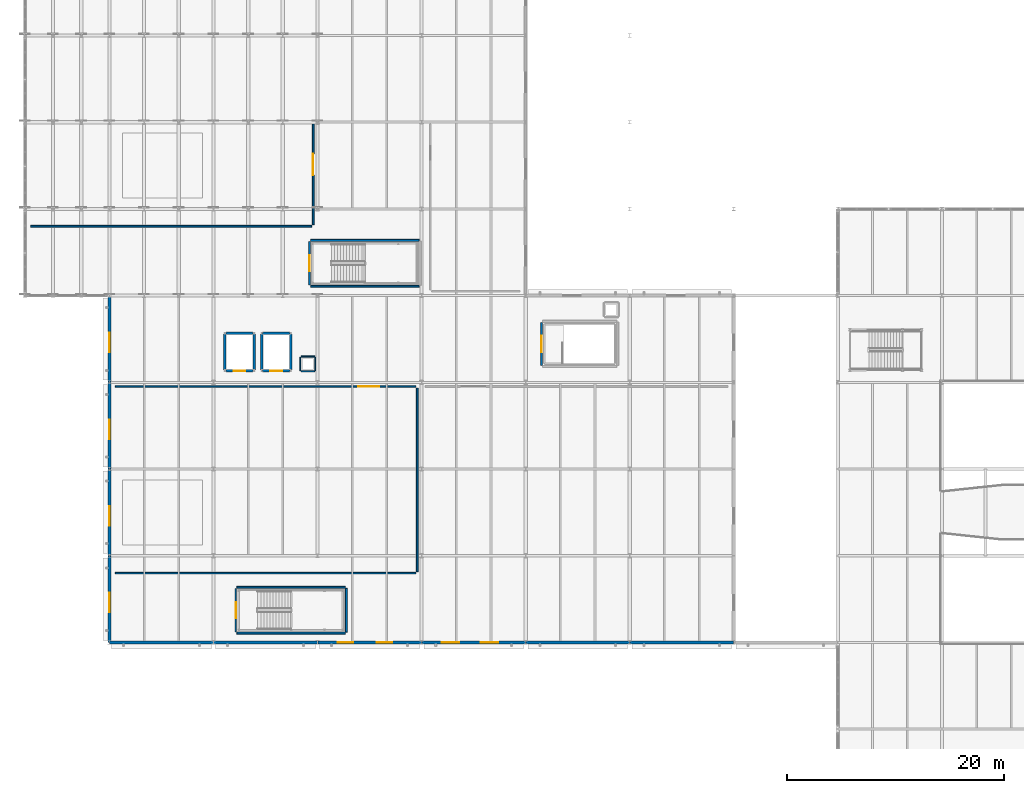
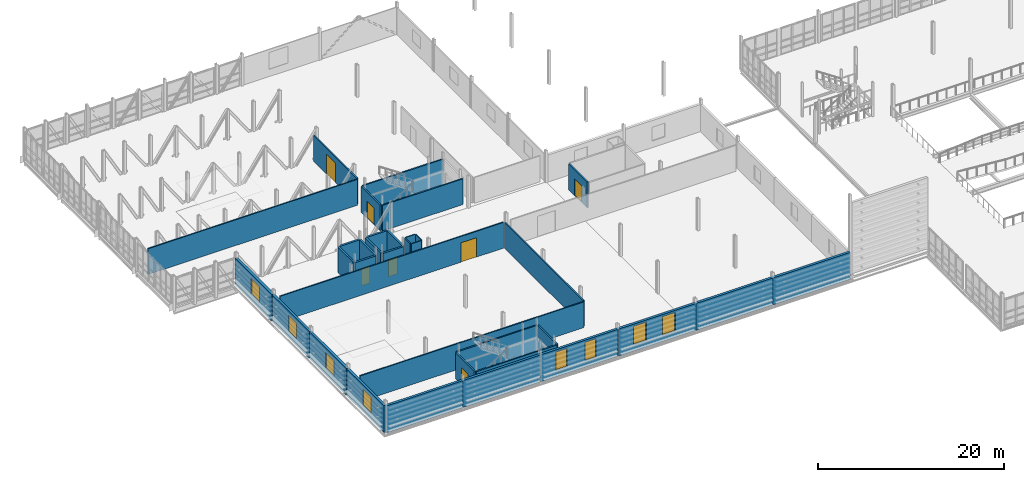
# One storey, part 60 of 73: 35 walls, 8 windows, 7 doors, 15 openings.
"""IFC4 building model written with IfcOpenShell, lengths in metres."""

from ifc_helpers import new_model, si_unit, direction, frame, frame_2d, origin, place, context, subcontext, project, spatial, rectangle, extrude, material, layer, layer_set, type_object, element, fill, save


model = new_model("IFC4")

# Units and contexts
model_context = context("Model", 3, precision=1e-05, world=origin(), true_north=direction((0.0, 1.0)))
body_context = subcontext(model_context, "Body", "Model", "MODEL_VIEW")
ifc_project = project(units=[si_unit("LENGTHUNIT", "METRE"), si_unit("AREAUNIT", "SQUARE_METRE"), si_unit("VOLUMEUNIT", "CUBIC_METRE"), si_unit("PLANEANGLEUNIT", "RADIAN"), si_unit("MASSUNIT", "GRAM", prefix="KILO")], contexts=[model_context])

# Site, building, storey
site_placement = place(None, origin())
site = spatial("IfcSite", under=ifc_project, at=site_placement, CompositionType="ELEMENT")
building_placement = place(site_placement, origin())
building = spatial("IfcBuilding", under=site, at=building_placement, Name="Alderhovde Museum", CompositionType="ELEMENT")
storey_placement = place(building_placement, frame((0.0, 0.0, 12.89990234375)))
storey = spatial("IfcBuildingStorey", under=building, at=storey_placement, Name="L03", CompositionType="ELEMENT", Elevation=12.89990234375)

# Walls
ifc_material_1 = material(Name="Insulated Zinc-Clad Backing Wall")
ifc_layer_1 = layer(ifc_material_1, 0.300048828125)
ifc_layer_set_1 = layer_set([ifc_layer_1], Name="Insulated Zinc-Clad Backing Wall")
wall_type_1 = type_object("IfcWallType", Name="EW-ZINC-300", PredefinedType="SOLIDWALL", material=ifc_layer_set_1)
wall_1_placement = place(storey_placement, frame((9.6201171875, 48.0, 0.0), z_axis=(0.0, 0.0, 1.0), x_axis=(1.0, 0.0, 0.0)))
element("IfcWall", 1, at=wall_1_placement, inside=storey, type_object=wall_type_1, Name="L03 Folded Wing South Wall 35", PredefinedType="SOLIDWALL", context=body_context, shape_type="SweptSolid", body=[
    extrude(rectangle(XDim=9.559814453125, YDim=0.300048828125, at=frame_2d((4.77978515625, 0.0))), origin(), (0.0, 0.0, 1.0), 3.5400390625),
])
wall_2_placement = place(storey_placement, frame((19.219970703125, 48.0, 0.0), z_axis=(0.0, 0.0, 1.0), x_axis=(1.0, 0.0, 0.0)))
element("IfcWall", 2, at=wall_2_placement, inside=storey, type_object=wall_type_1, Name="L03 Folded Wing South Wall 36", PredefinedType="SOLIDWALL", context=body_context, shape_type="SweptSolid", body=[
    extrude(rectangle(XDim=9.56005859375, YDim=0.300048828125, at=frame_2d((4.780029296875, 0.0))), origin(), (0.0, 0.0, 1.0), 3.5400390625),
])

# Wall, openings, windows
wall_3_placement = place(storey_placement, frame((28.820068359375, 48.0, 0.0), z_axis=(0.0, 0.0, 1.0), x_axis=(1.0, 0.0, 0.0)))
wall_3 = element("IfcWall", 3, at=wall_3_placement, inside=storey, type_object=wall_type_1, Name="L03 Folded Wing South Wall 37", PredefinedType="SOLIDWALL", context=body_context, shape_type="SweptSolid", body=[
    extrude(rectangle(XDim=9.559814453125, YDim=0.300048828125, at=frame_2d((4.77978515625, 0.0))), origin(), (0.0, 0.0, 1.0), 3.5400390625),
])
opening_1_placement = place(wall_3_placement, frame((1.85009765625, 0.0, 0.85009765625)))
opening_1 = element("IfcOpeningElement", 4, at=opening_1_placement, cuts=wall_3, Name="Opening W07", PredefinedType="OPENING", context=body_context, shape_type="SweptSolid", body=[
    extrude(rectangle(XDim=1.39990234375, YDim=2.39990234375, at=frame_2d((0.699951171875, 1.199951171875))), frame((0.0, 0.159912109375, 0.0), z_axis=(0.0, -1.0, 0.0), x_axis=(1.0, 0.0, 0.0)), (0.0, 0.0, 1.0), 0.320068359375),
])
opening_2_placement = place(wall_3_placement, frame((5.449951171875, 0.0, 0.85009765625)))
opening_2 = element("IfcOpeningElement", 5, at=opening_2_placement, cuts=wall_3, Name="Opening W07", PredefinedType="OPENING", context=body_context, shape_type="SweptSolid", body=[
    extrude(rectangle(XDim=1.39990234375, YDim=2.39990234375, at=frame_2d((0.699951171875, 1.199951171875))), frame((0.0, 0.159912109375, 0.0), z_axis=(0.0, -1.0, 0.0), x_axis=(1.0, 0.0, 0.0)), (0.0, 0.0, 1.0), 0.320068359375),
])
ifc_material_2 = material(Name="Triple-Glazed Low-E Bronze-Anodised Aluminium", Category="aluminium")
window_type_1 = type_object("IfcWindowType", Name="WIN-BA-1400x2400", PartitioningType="SINGLE_PANEL", PredefinedType="WINDOW", material=ifc_material_2)
window_1_placement = place(opening_1_placement, origin())
window_1 = element("IfcWindow", 6, at=window_1_placement, inside=storey, type_object=window_type_1, Name="L03 Facade Window 23", OverallHeight=2.39990234375, OverallWidth=1.39990234375, PartitioningType="SINGLE_PANEL", PredefinedType="WINDOW", context=body_context, shape_type="SweptSolid", body=[
    extrude(rectangle(XDim=1.39990234375, YDim=2.39990234375, at=frame_2d((0.699951171875, 1.199951171875))), frame((0.0, 0.030029296875, 0.0), z_axis=(0.0, -1.0, 0.0), x_axis=(1.0, 0.0, 0.0)), (0.0, 0.0, 1.0), 0.06005859375),
])
fill(opening_1, window_1)
window_2_placement = place(opening_2_placement, origin())
window_2 = element("IfcWindow", 7, at=window_2_placement, inside=storey, type_object=window_type_1, Name="L03 Facade Window 24", OverallHeight=2.39990234375, OverallWidth=1.39990234375, PartitioningType="SINGLE_PANEL", PredefinedType="WINDOW", context=body_context, shape_type="SweptSolid", body=[
    extrude(rectangle(XDim=1.39990234375, YDim=2.39990234375, at=frame_2d((0.699951171875, 1.199951171875))), frame((0.0, 0.030029296875, 0.0), z_axis=(0.0, -1.0, 0.0), x_axis=(1.0, 0.0, 0.0)), (0.0, 0.0, 1.0), 0.06005859375),
])
fill(opening_2, window_2)

wall_4_placement = place(storey_placement, frame((38.419921875, 48.0, 0.0), z_axis=(0.0, 0.0, 1.0), x_axis=(1.0, 0.0, 0.0)))
wall_4 = element("IfcWall", 8, at=wall_4_placement, inside=storey, type_object=wall_type_1, Name="L03 Folded Wing South Wall 38", PredefinedType="SOLIDWALL", context=body_context, shape_type="SweptSolid", body=[
    extrude(rectangle(XDim=9.56005859375, YDim=0.300048828125, at=frame_2d((4.780029296875, 0.0))), origin(), (0.0, 0.0, 1.0), 3.5400390625),
])
opening_3_placement = place(wall_4_placement, frame((1.85009765625, 0.0, 0.85009765625)))
opening_3 = element("IfcOpeningElement", 9, at=opening_3_placement, cuts=wall_4, Name="Opening W06", PredefinedType="OPENING", context=body_context, shape_type="SweptSolid", body=[
    extrude(rectangle(XDim=1.60009765625, YDim=2.39990234375, at=frame_2d((0.800048828125, 1.199951171875))), frame((0.0, 0.159912109375, 0.0), z_axis=(0.0, -1.0, 0.0), x_axis=(1.0, 0.0, 0.0)), (0.0, 0.0, 1.0), 0.320068359375),
])
opening_4_placement = place(wall_4_placement, frame((5.449951171875, 0.0, 0.85009765625)))
opening_4 = element("IfcOpeningElement", 10, at=opening_4_placement, cuts=wall_4, Name="Opening W06", PredefinedType="OPENING", context=body_context, shape_type="SweptSolid", body=[
    extrude(rectangle(XDim=1.60009765625, YDim=2.39990234375, at=frame_2d((0.800048828125, 1.199951171875))), frame((0.0, 0.159912109375, 0.0), z_axis=(0.0, -1.0, 0.0), x_axis=(1.0, 0.0, 0.0)), (0.0, 0.0, 1.0), 0.320068359375),
])
ifc_material_3 = material(Name="Triple-Glazed Low-E Bronze-Anodised Aluminium", Category="aluminium")
window_type_2 = type_object("IfcWindowType", Name="WIN-BA-1600x2400", PartitioningType="DOUBLE_PANEL_VERTICAL", PredefinedType="WINDOW", material=ifc_material_3)
window_3_placement = place(opening_3_placement, origin())
window_3 = element("IfcWindow", 11, at=window_3_placement, inside=storey, type_object=window_type_2, Name="L03 Facade Window 25", OverallHeight=2.39990234375, OverallWidth=1.60009765625, PartitioningType="SINGLE_PANEL", PredefinedType="WINDOW", context=body_context, shape_type="SweptSolid", body=[
    extrude(rectangle(XDim=1.60009765625, YDim=2.39990234375, at=frame_2d((0.800048828125, 1.199951171875))), frame((0.0, 0.030029296875, 0.0), z_axis=(0.0, -1.0, 0.0), x_axis=(1.0, 0.0, 0.0)), (0.0, 0.0, 1.0), 0.06005859375),
])
fill(opening_3, window_3)
window_4_placement = place(opening_4_placement, origin())
window_4 = element("IfcWindow", 12, at=window_4_placement, inside=storey, type_object=window_type_2, Name="L03 Facade Window 26", OverallHeight=2.39990234375, OverallWidth=1.60009765625, PartitioningType="SINGLE_PANEL", PredefinedType="WINDOW", context=body_context, shape_type="SweptSolid", body=[
    extrude(rectangle(XDim=1.60009765625, YDim=2.39990234375, at=frame_2d((0.800048828125, 1.199951171875))), frame((0.0, 0.030029296875, 0.0), z_axis=(0.0, -1.0, 0.0), x_axis=(1.0, 0.0, 0.0)), (0.0, 0.0, 1.0), 0.06005859375),
])
fill(opening_4, window_4)

# Walls
wall_5_placement = place(storey_placement, frame((48.02001953125, 48.0, 0.0), z_axis=(0.0, 0.0, 1.0), x_axis=(1.0, 0.0, 0.0)))
element("IfcWall", 13, at=wall_5_placement, inside=storey, type_object=wall_type_1, Name="L03 Folded Wing South Wall 39", PredefinedType="SOLIDWALL", context=body_context, shape_type="SweptSolid", body=[
    extrude(rectangle(XDim=9.56005859375, YDim=0.300048828125, at=frame_2d((4.780029296875, 0.0))), origin(), (0.0, 0.0, 1.0), 3.5400390625),
])
wall_6_placement = place(storey_placement, frame((57.6201171875, 48.0, 0.0), z_axis=(0.0, 0.0, 1.0), x_axis=(1.0, 0.0, 0.0)))
element("IfcWall", 14, at=wall_6_placement, inside=storey, type_object=wall_type_1, Name="L03 Folded Wing South Wall 40", PredefinedType="SOLIDWALL", context=body_context, shape_type="SweptSolid", body=[
    extrude(rectangle(XDim=9.559814453125, YDim=0.300048828125, at=frame_2d((4.77978515625, 0.0))), origin(), (0.0, 0.0, 1.0), 3.5400390625),
])

# Wall, opening, window
wall_7_placement = place(storey_placement, frame((9.60009765625, 48.02001953125, 0.0), z_axis=(0.0, 0.0, 1.0), x_axis=(0.0, 1.0, 0.0)))
wall_7 = element("IfcWall", 15, at=wall_7_placement, inside=storey, type_object=wall_type_1, Name="L03 Raised West Prow Wall 43", PredefinedType="SOLIDWALL", context=body_context, shape_type="SweptSolid", body=[
    extrude(rectangle(XDim=7.9599609375, YDim=0.300048828125, at=frame_2d((3.97998046875, 0.0))), origin(), (0.0, 0.0, 1.0), 3.5400390625),
])
opening_5_placement = place(wall_7_placement, frame((2.75, 0.0, 0.85009765625)))
opening_5 = element("IfcOpeningElement", 16, at=opening_5_placement, cuts=wall_7, Name="Opening W09", PredefinedType="OPENING", context=body_context, shape_type="SweptSolid", body=[
    extrude(rectangle(XDim=1.800048828125, YDim=2.10009765625, at=frame_2d((0.89990234375, 1.050048828125))), frame((0.0, 0.159912109375, 0.0), z_axis=(0.0, -1.0, 0.0), x_axis=(1.0, 0.0, 0.0)), (0.0, 0.0, 1.0), 0.320068359375),
])
ifc_material_4 = material(Name="Triple-Glazed Low-E Bronze-Anodised Aluminium", Category="aluminium")
window_type_3 = type_object("IfcWindowType", Name="WIN-BA-1800x2100", PartitioningType="DOUBLE_PANEL_VERTICAL", PredefinedType="WINDOW", material=ifc_material_4)
window_5_placement = place(opening_5_placement, origin())
window_5 = element("IfcWindow", 17, at=window_5_placement, inside=storey, type_object=window_type_3, Name="L03 Facade Window 29", OverallHeight=2.10009765625, OverallWidth=1.800048828125, PartitioningType="SINGLE_PANEL", PredefinedType="WINDOW", context=body_context, shape_type="SweptSolid", body=[
    extrude(rectangle(XDim=1.800048828125, YDim=2.10009765625, at=frame_2d((0.89990234375, 1.050048828125))), frame((0.0, 0.030029296875, 0.0), z_axis=(0.0, -1.0, 0.0), x_axis=(1.0, 0.0, 0.0)), (0.0, 0.0, 1.0), 0.06005859375),
])
fill(opening_5, window_5)

wall_8_placement = place(storey_placement, frame((9.60009765625, 56.02001953125, 0.0), z_axis=(0.0, 0.0, 1.0), x_axis=(0.0, 1.0, 0.0)))
wall_8 = element("IfcWall", 18, at=wall_8_placement, inside=storey, type_object=wall_type_1, Name="L03 Raised West Prow Wall 44", PredefinedType="SOLIDWALL", context=body_context, shape_type="SweptSolid", body=[
    extrude(rectangle(XDim=7.9599609375, YDim=0.300048828125, at=frame_2d((3.97998046875, 0.0))), origin(), (0.0, 0.0, 1.0), 3.5400390625),
])
opening_6_placement = place(wall_8_placement, frame((2.75, 0.0, 0.85009765625)))
opening_6 = element("IfcOpeningElement", 19, at=opening_6_placement, cuts=wall_8, Name="Opening W09", PredefinedType="OPENING", context=body_context, shape_type="SweptSolid", body=[
    extrude(rectangle(XDim=1.800048828125, YDim=2.10009765625, at=frame_2d((0.89990234375, 1.050048828125))), frame((0.0, 0.159912109375, 0.0), z_axis=(0.0, -1.0, 0.0), x_axis=(1.0, 0.0, 0.0)), (0.0, 0.0, 1.0), 0.320068359375),
])
window_6_placement = place(opening_6_placement, origin())
window_6 = element("IfcWindow", 20, at=window_6_placement, inside=storey, type_object=window_type_3, Name="L03 Facade Window 30", OverallHeight=2.10009765625, OverallWidth=1.800048828125, PartitioningType="SINGLE_PANEL", PredefinedType="WINDOW", context=body_context, shape_type="SweptSolid", body=[
    extrude(rectangle(XDim=1.800048828125, YDim=2.10009765625, at=frame_2d((0.89990234375, 1.050048828125))), frame((0.0, 0.030029296875, 0.0), z_axis=(0.0, -1.0, 0.0), x_axis=(1.0, 0.0, 0.0)), (0.0, 0.0, 1.0), 0.06005859375),
])
fill(opening_6, window_6)

wall_9_placement = place(storey_placement, frame((9.60009765625, 64.02001953125, 0.0), z_axis=(0.0, 0.0, 1.0), x_axis=(0.0, 1.0, 0.0)))
wall_9 = element("IfcWall", 21, at=wall_9_placement, inside=storey, type_object=wall_type_1, Name="L03 Raised West Prow Wall 45", PredefinedType="SOLIDWALL", context=body_context, shape_type="SweptSolid", body=[
    extrude(rectangle(XDim=7.9599609375, YDim=0.300048828125, at=frame_2d((3.97998046875, 0.0))), origin(), (0.0, 0.0, 1.0), 3.5400390625),
])
opening_7_placement = place(wall_9_placement, frame((2.75, 0.0, 0.85009765625)))
opening_7 = element("IfcOpeningElement", 22, at=opening_7_placement, cuts=wall_9, Name="Opening W09", PredefinedType="OPENING", context=body_context, shape_type="SweptSolid", body=[
    extrude(rectangle(XDim=1.800048828125, YDim=2.10009765625, at=frame_2d((0.89990234375, 1.050048828125))), frame((0.0, 0.159912109375, 0.0), z_axis=(0.0, -1.0, 0.0), x_axis=(1.0, 0.0, 0.0)), (0.0, 0.0, 1.0), 0.320068359375),
])
window_7_placement = place(opening_7_placement, origin())
window_7 = element("IfcWindow", 23, at=window_7_placement, inside=storey, type_object=window_type_3, Name="L03 Facade Window 31", OverallHeight=2.10009765625, OverallWidth=1.800048828125, PartitioningType="SINGLE_PANEL", PredefinedType="WINDOW", context=body_context, shape_type="SweptSolid", body=[
    extrude(rectangle(XDim=1.800048828125, YDim=2.10009765625, at=frame_2d((0.89990234375, 1.050048828125))), frame((0.0, 0.030029296875, 0.0), z_axis=(0.0, -1.0, 0.0), x_axis=(1.0, 0.0, 0.0)), (0.0, 0.0, 1.0), 0.06005859375),
])
fill(opening_7, window_7)

wall_10_placement = place(storey_placement, frame((9.60009765625, 72.02001953125, 0.0), z_axis=(0.0, 0.0, 1.0), x_axis=(0.0, 1.0, 0.0)))
wall_10 = element("IfcWall", 24, at=wall_10_placement, inside=storey, type_object=wall_type_1, Name="L03 Raised West Prow Wall 46", PredefinedType="SOLIDWALL", context=body_context, shape_type="SweptSolid", body=[
    extrude(rectangle(XDim=7.9599609375, YDim=0.300048828125, at=frame_2d((3.97998046875, 0.0))), origin(), (0.0, 0.0, 1.0), 3.5400390625),
])
opening_8_placement = place(wall_10_placement, frame((2.75, 0.0, 0.85009765625)))
opening_8 = element("IfcOpeningElement", 25, at=opening_8_placement, cuts=wall_10, Name="Opening W09", PredefinedType="OPENING", context=body_context, shape_type="SweptSolid", body=[
    extrude(rectangle(XDim=1.800048828125, YDim=2.10009765625, at=frame_2d((0.89990234375, 1.050048828125))), frame((0.0, 0.159912109375, 0.0), z_axis=(0.0, -1.0, 0.0), x_axis=(1.0, 0.0, 0.0)), (0.0, 0.0, 1.0), 0.320068359375),
])
window_8_placement = place(opening_8_placement, origin())
window_8 = element("IfcWindow", 26, at=window_8_placement, inside=storey, type_object=window_type_3, Name="L03 Facade Window 32", OverallHeight=2.10009765625, OverallWidth=1.800048828125, PartitioningType="SINGLE_PANEL", PredefinedType="WINDOW", context=body_context, shape_type="SweptSolid", body=[
    extrude(rectangle(XDim=1.800048828125, YDim=2.10009765625, at=frame_2d((0.89990234375, 1.050048828125))), frame((0.0, 0.030029296875, 0.0), z_axis=(0.0, -1.0, 0.0), x_axis=(1.0, 0.0, 0.0)), (0.0, 0.0, 1.0), 0.06005859375),
])
fill(opening_8, window_8)

# Wall, opening, door
ifc_material_5 = material(Name="Plywood-Backed Gallery Display Partition", Category="wood")
ifc_layer_2 = layer(ifc_material_5, 0.14990234375)
ifc_layer_set_2 = layer_set([ifc_layer_2], Name="Plywood-Backed Gallery Display Partition")
wall_type_2 = type_object("IfcWallType", Name="IW-GAL-150", PredefinedType="PARTITIONING", material=ifc_layer_set_2)
wall_11_placement = place(storey_placement, frame((10.139892578125, 71.60009765625, 0.0), z_axis=(0.0, 0.0, 1.0), x_axis=(1.0, 0.0, 0.0)))
wall_11 = element("IfcWall", 27, at=wall_11_placement, inside=storey, type_object=wall_type_2, Name="L03 Scandinavian Design Gallery Partition Wall N", PredefinedType="PARTITIONING", context=body_context, shape_type="SweptSolid", body=[
    extrude(rectangle(XDim=27.72021484375, YDim=0.14990234375, at=frame_2d((13.860107421875, 0.0))), origin(), (0.0, 0.0, 1.0), 3.380126953125),
])
opening_9_placement = place(wall_11_placement, frame((22.422119140625, 0.0, 0.0)))
opening_9 = element("IfcOpeningElement", 28, at=opening_9_placement, cuts=wall_11, Name="Opening D12", PredefinedType="OPENING", context=body_context, shape_type="SweptSolid", body=[
    extrude(rectangle(XDim=1.949951171875, YDim=2.550048828125, at=frame_2d((0.97509765625, 1.27490234375))), frame((0.0, 0.0849609375, 0.0), z_axis=(0.0, -1.0, 0.0), x_axis=(1.0, 0.0, 0.0)), (0.0, 0.0, 1.0), 0.169921875),
])
ifc_material_6 = material(Name="Natural History Double Door (Steel/Oak)", Category="steel")
door_type_1 = type_object("IfcDoorType", Name="ID-GAL-1950x2550", OperationType="NOTDEFINED", PredefinedType="DOOR", material=ifc_material_6)
door_1_placement = place(opening_9_placement, origin())
door_1 = element("IfcDoor", 29, at=door_1_placement, inside=storey, type_object=door_type_1, Name="L03 Scandinavian Design Gallery Door", OperationType="DOUBLE_DOOR_SINGLE_SWING", OverallHeight=2.550048828125, OverallWidth=1.949951171875, PredefinedType="DOOR", context=body_context, shape_type="SweptSolid", body=[
    extrude(rectangle(XDim=1.949951171875, YDim=2.550048828125, at=frame_2d((0.97509765625, 1.27490234375))), frame((0.0, 0.02490234375, 0.0), z_axis=(0.0, -1.0, 0.0), x_axis=(1.0, 0.0, 0.0)), (0.0, 0.0, 1.0), 0.050048828125),
])
fill(opening_9, door_1)

# Walls
wall_12_placement = place(storey_placement, frame((10.139892578125, 54.39990234375, 0.0), z_axis=(0.0, 0.0, 1.0), x_axis=(1.0, 0.0, 0.0)))
element("IfcWall", 30, at=wall_12_placement, inside=storey, type_object=wall_type_2, Name="L03 Scandinavian Design Gallery Partition Wall S", PredefinedType="PARTITIONING", context=body_context, shape_type="SweptSolid", body=[
    extrude(rectangle(XDim=27.72021484375, YDim=0.14990234375, at=frame_2d((13.860107421875, 0.0))), origin(), (0.0, 0.0, 1.0), 3.380126953125),
])
wall_13_placement = place(storey_placement, frame((38.0, 54.5400390625, 0.0), z_axis=(0.0, 0.0, 1.0), x_axis=(0.0, 1.0, 0.0)))
element("IfcWall", 31, at=wall_13_placement, inside=storey, type_object=wall_type_2, Name="L03 Scandinavian Design Gallery Partition Wall E", PredefinedType="PARTITIONING", context=body_context, shape_type="SweptSolid", body=[
    extrude(rectangle(XDim=16.919921875, YDim=0.14990234375, at=frame_2d((8.4599609375, 0.0))), origin(), (0.0, 0.0, 1.0), 3.380126953125),
])
wall_14_placement = place(storey_placement, frame((2.340087890625, 86.39990234375, 0.0), z_axis=(0.0, 0.0, 1.0), x_axis=(1.0, 0.0, 0.0)))
element("IfcWall", 32, at=wall_14_placement, inside=storey, type_object=wall_type_2, Name="L03 Cantilevered Marine Fossil Gallery Partition Wall S", PredefinedType="PARTITIONING", context=body_context, shape_type="SweptSolid", body=[
    extrude(rectangle(XDim=25.919921875, YDim=0.14990234375, at=frame_2d((12.9599609375, 0.0))), origin(), (0.0, 0.0, 1.0), 3.380126953125),
])

# Wall, opening, door
wall_15_placement = place(storey_placement, frame((28.39990234375, 86.5400390625, 0.0), z_axis=(0.0, 0.0, 1.0), x_axis=(0.0, 1.0, 0.0)))
wall_15 = element("IfcWall", 33, at=wall_15_placement, inside=storey, type_object=wall_type_2, Name="L03 Cantilevered Marine Fossil Gallery Partition Wall E", PredefinedType="PARTITIONING", context=body_context, shape_type="SweptSolid", body=[
    extrude(rectangle(XDim=9.2900390625, YDim=0.14990234375, at=frame_2d((4.64501953125, 0.0))), origin(), (0.0, 0.0, 1.0), 3.380126953125),
])
opening_10_placement = place(wall_15_placement, frame((4.552001953125, 0.0, 0.0)))
opening_10 = element("IfcOpeningElement", 34, at=opening_10_placement, cuts=wall_15, Name="Opening D02", PredefinedType="OPENING", context=body_context, shape_type="SweptSolid", body=[
    extrude(rectangle(XDim=2.0, YDim=2.60009765625, at=frame_2d((1.0, 1.300048828125))), frame((0.0, 0.0849609375, 0.0), z_axis=(0.0, -1.0, 0.0), x_axis=(1.0, 0.0, 0.0)), (0.0, 0.0, 1.0), 0.169921875),
])
ifc_material_7 = material(Name="Exhibition Enfilade Double Door (Steel/Oak)", Category="steel")
door_type_2 = type_object("IfcDoorType", Name="ID-GAL-2000x2600", OperationType="NOTDEFINED", PredefinedType="DOOR", material=ifc_material_7)
door_2_placement = place(opening_10_placement, origin())
door_2 = element("IfcDoor", 35, at=door_2_placement, inside=storey, type_object=door_type_2, Name="L03 Cantilevered Marine Fossil Gallery Door", OperationType="DOUBLE_DOOR_SINGLE_SWING", OverallHeight=2.60009765625, OverallWidth=2.0, PredefinedType="DOOR", context=body_context, shape_type="SweptSolid", body=[
    extrude(rectangle(XDim=2.0, YDim=2.60009765625, at=frame_2d((1.0, 1.300048828125))), frame((0.0, 0.02490234375, 0.0), z_axis=(0.0, -1.0, 0.0), x_axis=(1.0, 0.0, 0.0)), (0.0, 0.0, 1.0), 0.050048828125),
])
fill(opening_10, door_2)

# Walls
ifc_material_8 = material(Name="Acoustic Service Riser Lining Wall")
ifc_layer_3 = layer(ifc_material_8, 0.10009765625)
ifc_layer_set_3 = layer_set([ifc_layer_3], Name="Acoustic Service Riser Lining Wall")
wall_type_3 = type_object("IfcWallType", Name="IW-LIN-100", PredefinedType="PARTITIONING", material=ifc_layer_set_3)
for number, where, z_axis, x_axis, name in (
    (36, (27.280029296875, 74.3798828125, 0.0), (0.0, 0.0, 1.0), (1.0, 0.0, 0.0), "L03 Service Riser RSR-V1A Shaft Wall N"),
    (37, (27.280029296875, 73.02001953125, 0.0), (0.0, 0.0, 1.0), (1.0, 0.0, 0.0), "L03 Service Riser RSR-V1A Shaft Wall S"),
    (38, (27.219970703125, 73.080078125, 0.0), (0.0, 0.0, 1.0), (0.0, 1.0, 0.0), "L03 Service Riser RSR-V1A Shaft Wall W"),
    (39, (28.580078125, 73.080078125, 0.0), (0.0, 0.0, 1.0), (0.0, 1.0, 0.0), "L03 Service Riser RSR-V1A Shaft Wall E"),
):
    element("IfcWall", number, at=place(storey_placement, frame(where, z_axis=z_axis, x_axis=x_axis)), inside=storey, type_object=wall_type_3, Name=name, PredefinedType="PARTITIONING", context=body_context, shape_type="SweptSolid", body=[
        extrude(rectangle(XDim=1.239990234375, YDim=0.10009765625, at=frame_2d((0.6201171875, 0.0))), origin(), (0.0, 0.0, 1.0), 3.380126953125),
    ])

# Wall, opening, door
ifc_material_9 = material(Name="Concrete C40/50 and Fireboard Shaft Wall", Category="concrete")
ifc_layer_4 = layer(ifc_material_9, 0.22998046875)
ifc_layer_set_4 = layer_set([ifc_layer_4], Name="Concrete C40/50 and Fireboard Shaft Wall")
wall_type_4 = type_object("IfcWallType", Name="IW-SHAFT-230", PredefinedType="SOLIDWALL", material=ifc_layer_set_4)
wall_16_placement = place(storey_placement, frame((20.340087890625, 73.06005859375, 0.0), z_axis=(0.0, 0.0, 1.0), x_axis=(1.0, 0.0, 0.0)))
wall_16 = element("IfcWall", 40, at=wall_16_placement, inside=storey, type_object=wall_type_4, Name="L03 Passenger Lift PL-01 Shaft Wall South", PredefinedType="SOLIDWALL", context=body_context, shape_type="SweptSolid", body=[
    extrude(rectangle(XDim=2.52001953125, YDim=0.22998046875, at=frame_2d((1.260009765625, 0.0))), origin(), (0.0, 0.0, 1.0), 3.380126953125),
])
opening_11_placement = place(wall_16_placement, frame((0.7099609375, 0.0, 0.0)))
opening_11 = element("IfcOpeningElement", 41, at=opening_11_placement, cuts=wall_16, Name="Opening LD-1", PredefinedType="OPENING", context=body_context, shape_type="SweptSolid", body=[
    extrude(rectangle(XDim=1.10009765625, YDim=2.199951171875, at=frame_2d((0.550048828125, 1.10009765625))), frame((0.0, 0.125, 0.0), z_axis=(0.0, -1.0, 0.0), x_axis=(1.0, 0.0, 0.0)), (0.0, 0.0, 1.0), 0.25),
])
ifc_material_10 = material(Name="Passenger Lift Sliding Landing Door (Steel/Oak)", Category="steel")
door_type_3 = type_object("IfcDoorType", Name="LD-PASS-1100x2200", OperationType="SLIDING_TO_LEFT", PredefinedType="DOOR", material=ifc_material_10)
door_3_placement = place(opening_11_placement, origin())
door_3 = element("IfcDoor", 42, at=door_3_placement, inside=storey, type_object=door_type_3, Name="L03 Passenger Lift PL-01 Landing Door", OperationType="SLIDING_TO_LEFT", OverallHeight=2.199951171875, OverallWidth=1.10009765625, PredefinedType="DOOR", context=body_context, shape_type="SweptSolid", body=[
    extrude(rectangle(XDim=1.10009765625, YDim=2.199951171875, at=frame_2d((0.550048828125, 1.10009765625))), frame((0.0, 0.02490234375, 0.0), z_axis=(0.0, -1.0, 0.0), x_axis=(1.0, 0.0, 0.0)), (0.0, 0.0, 1.0), 0.050048828125),
])
fill(opening_11, door_3)

# Walls
wall_17_placement = place(storey_placement, frame((20.340087890625, 76.5400390625, 0.0), z_axis=(0.0, 0.0, 1.0), x_axis=(1.0, 0.0, 0.0)))
element("IfcWall", 43, at=wall_17_placement, inside=storey, type_object=wall_type_4, Name="L03 Passenger Lift PL-01 Shaft Wall North", PredefinedType="SOLIDWALL", context=body_context, shape_type="SweptSolid", body=[
    extrude(rectangle(XDim=2.52001953125, YDim=0.22998046875, at=frame_2d((1.260009765625, 0.0))), origin(), (0.0, 0.0, 1.0), 3.380126953125),
])
for number, where, z_axis, x_axis, name in (
    (44, (20.260009765625, 73.139892578125, 0.0), (0.0, 0.0, 1.0), (0.0, 1.0, 0.0), "L03 Passenger Lift PL-01 Shaft Wall West"),
    (45, (22.93994140625, 73.139892578125, 0.0), (0.0, 0.0, 1.0), (0.0, 1.0, 0.0), "L03 Passenger Lift PL-01 Shaft Wall East"),
):
    element("IfcWall", number, at=place(storey_placement, frame(where, z_axis=z_axis, x_axis=x_axis)), inside=storey, type_object=wall_type_4, Name=name, PredefinedType="SOLIDWALL", context=body_context, shape_type="SweptSolid", body=[
        extrude(rectangle(XDim=3.320068359375, YDim=0.22998046875, at=frame_2d((1.66015625, 0.0))), origin(), (0.0, 0.0, 1.0), 3.380126953125),
    ])

# Wall, opening, door
wall_18_placement = place(storey_placement, frame((23.739990234375, 73.06005859375, 0.0), z_axis=(0.0, 0.0, 1.0), x_axis=(1.0, 0.0, 0.0)))
wall_18 = element("IfcWall", 46, at=wall_18_placement, inside=storey, type_object=wall_type_4, Name="L03 Passenger Lift PL-02 Shaft Wall South", PredefinedType="SOLIDWALL", context=body_context, shape_type="SweptSolid", body=[
    extrude(rectangle(XDim=2.52001953125, YDim=0.22998046875, at=frame_2d((1.260009765625, 0.0))), origin(), (0.0, 0.0, 1.0), 3.380126953125),
])
opening_12_placement = place(wall_18_placement, frame((0.7099609375, 0.0, 0.0)))
opening_12 = element("IfcOpeningElement", 47, at=opening_12_placement, cuts=wall_18, Name="Opening LD-1", PredefinedType="OPENING", context=body_context, shape_type="SweptSolid", body=[
    extrude(rectangle(XDim=1.10009765625, YDim=2.199951171875, at=frame_2d((0.550048828125, 1.10009765625))), frame((0.0, 0.125, 0.0), z_axis=(0.0, -1.0, 0.0), x_axis=(1.0, 0.0, 0.0)), (0.0, 0.0, 1.0), 0.25),
])
door_4_placement = place(opening_12_placement, origin())
door_4 = element("IfcDoor", 48, at=door_4_placement, inside=storey, type_object=door_type_3, Name="L03 Passenger Lift PL-02 Landing Door", OperationType="SLIDING_TO_RIGHT", OverallHeight=2.199951171875, OverallWidth=1.10009765625, PredefinedType="DOOR", context=body_context, shape_type="SweptSolid", body=[
    extrude(rectangle(XDim=1.10009765625, YDim=2.199951171875, at=frame_2d((0.550048828125, 1.10009765625))), frame((0.0, 0.02490234375, 0.0), z_axis=(0.0, -1.0, 0.0), x_axis=(1.0, 0.0, 0.0)), (0.0, 0.0, 1.0), 0.050048828125),
])
fill(opening_12, door_4)

# Walls
wall_19_placement = place(storey_placement, frame((23.739990234375, 76.5400390625, 0.0), z_axis=(0.0, 0.0, 1.0), x_axis=(1.0, 0.0, 0.0)))
element("IfcWall", 49, at=wall_19_placement, inside=storey, type_object=wall_type_4, Name="L03 Passenger Lift PL-02 Shaft Wall North", PredefinedType="SOLIDWALL", context=body_context, shape_type="SweptSolid", body=[
    extrude(rectangle(XDim=2.52001953125, YDim=0.22998046875, at=frame_2d((1.260009765625, 0.0))), origin(), (0.0, 0.0, 1.0), 3.380126953125),
])
for number, where, z_axis, x_axis, name in (
    (50, (23.659912109375, 73.139892578125, 0.0), (0.0, 0.0, 1.0), (0.0, 1.0, 0.0), "L03 Passenger Lift PL-02 Shaft Wall West"),
    (51, (26.340087890625, 73.139892578125, 0.0), (0.0, 0.0, 1.0), (0.0, 1.0, 0.0), "L03 Passenger Lift PL-02 Shaft Wall East"),
):
    element("IfcWall", number, at=place(storey_placement, frame(where, z_axis=z_axis, x_axis=x_axis)), inside=storey, type_object=wall_type_4, Name=name, PredefinedType="SOLIDWALL", context=body_context, shape_type="SweptSolid", body=[
        extrude(rectangle(XDim=3.320068359375, YDim=0.22998046875, at=frame_2d((1.66015625, 0.0))), origin(), (0.0, 0.0, 1.0), 3.380126953125),
    ])

# Wall, opening, door
ifc_material_11 = material(Name="Fire-Resisting Stair Lobby Wall")
ifc_layer_5 = layer(ifc_material_11, 0.169921875)
ifc_layer_set_5 = layer_set([ifc_layer_5], Name="Fire-Resisting Stair Lobby Wall")
wall_type_5 = type_object("IfcWallType", Name="IW-STAIR-170", PredefinedType="SOLIDWALL", material=ifc_layer_set_5)
wall_20_placement = place(storey_placement, frame((21.260009765625, 48.9599609375, 0.0), z_axis=(0.0, 0.0, 1.0), x_axis=(0.0, 1.0, 0.0)))
wall_20 = element("IfcWall", 52, at=wall_20_placement, inside=storey, type_object=wall_type_5, Name="L03 Escape Stair ST1 Fire Wall W", PredefinedType="SOLIDWALL", context=body_context, shape_type="SweptSolid", body=[
    extrude(rectangle(XDim=4.0400390625, YDim=0.169921875, at=frame_2d((2.02001953125, 0.0))), origin(), (0.0, 0.0, 1.0), 3.380126953125),
])
opening_13_placement = place(wall_20_placement, frame((1.27001953125, 0.0, 0.0)))
opening_13 = element("IfcOpeningElement", 53, at=opening_13_placement, cuts=wall_20, Name="Opening FD-1", PredefinedType="OPENING", context=body_context, shape_type="SweptSolid", body=[
    extrude(rectangle(XDim=1.5, YDim=2.199951171875, at=frame_2d((0.75, 1.10009765625))), frame((0.0, 0.094970703125, 0.0), z_axis=(0.0, -1.0, 0.0), x_axis=(1.0, 0.0, 0.0)), (0.0, 0.0, 1.0), 0.18994140625),
])
ifc_material_12 = material(Name="Fire-Rated Steel Stair Escape Door (Steel/Oak)", Category="steel")
door_type_4 = type_object("IfcDoorType", Name="FD-STAIR-1500x2200", OperationType="NOTDEFINED", PredefinedType="DOOR", material=ifc_material_12)
door_5_placement = place(opening_13_placement, origin())
door_5 = element("IfcDoor", 54, at=door_5_placement, inside=storey, type_object=door_type_4, Name="L03 Escape Stair ST1 Fire Door", OperationType="SINGLE_SWING_LEFT", OverallHeight=2.199951171875, OverallWidth=1.5, PredefinedType="DOOR", context=body_context, shape_type="SweptSolid", body=[
    extrude(rectangle(XDim=1.5, YDim=2.199951171875, at=frame_2d((0.75, 1.10009765625))), frame((0.0, 0.02490234375, 0.0), z_axis=(0.0, -1.0, 0.0), x_axis=(1.0, 0.0, 0.0)), (0.0, 0.0, 1.0), 0.050048828125),
])
fill(opening_13, door_5)

# Walls
wall_21_placement = place(storey_placement, frame((31.4599609375, 48.9599609375, 0.0), z_axis=(0.0, 0.0, 1.0), x_axis=(0.0, 1.0, 0.0)))
element("IfcWall", 55, at=wall_21_placement, inside=storey, type_object=wall_type_5, Name="L03 Escape Stair ST1 Fire Wall E", PredefinedType="SOLIDWALL", context=body_context, shape_type="SweptSolid", body=[
    extrude(rectangle(XDim=4.0400390625, YDim=0.169921875, at=frame_2d((2.02001953125, 0.0))), origin(), (0.0, 0.0, 1.0), 3.380126953125),
])
for number, where, z_axis, x_axis, name in (
    (56, (21.360107421875, 48.860107421875, 0.0), (0.0, 0.0, 1.0), (1.0, 0.0, 0.0), "L03 Escape Stair ST1 Fire Wall S"),
    (57, (21.360107421875, 53.10009765625, 0.0), (0.0, 0.0, 1.0), (1.0, 0.0, 0.0), "L03 Escape Stair ST1 Fire Wall N"),
):
    element("IfcWall", number, at=place(storey_placement, frame(where, z_axis=z_axis, x_axis=x_axis)), inside=storey, type_object=wall_type_5, Name=name, PredefinedType="SOLIDWALL", context=body_context, shape_type="SweptSolid", body=[
        extrude(rectangle(XDim=10.0, YDim=0.169921875, at=frame_2d((5.0, 0.0))), origin(), (0.0, 0.0, 1.0), 3.380126953125),
    ])

# Wall, opening, door
wall_22_placement = place(storey_placement, frame((28.06005859375, 80.9599609375, 0.0), z_axis=(0.0, 0.0, 1.0), x_axis=(0.0, 1.0, 0.0)))
wall_22 = element("IfcWall", 58, at=wall_22_placement, inside=storey, type_object=wall_type_5, Name="L03 Escape Stair ST2 Fire Wall W", PredefinedType="SOLIDWALL", context=body_context, shape_type="SweptSolid", body=[
    extrude(rectangle(XDim=4.0400390625, YDim=0.169921875, at=frame_2d((2.02001953125, 0.0))), origin(), (0.0, 0.0, 1.0), 3.380126953125),
])
opening_14_placement = place(wall_22_placement, frame((1.27001953125, 0.0, 0.0)))
opening_14 = element("IfcOpeningElement", 59, at=opening_14_placement, cuts=wall_22, Name="Opening FD-1", PredefinedType="OPENING", context=body_context, shape_type="SweptSolid", body=[
    extrude(rectangle(XDim=1.5, YDim=2.199951171875, at=frame_2d((0.75, 1.10009765625))), frame((0.0, 0.094970703125, 0.0), z_axis=(0.0, -1.0, 0.0), x_axis=(1.0, 0.0, 0.0)), (0.0, 0.0, 1.0), 0.18994140625),
])
door_6_placement = place(opening_14_placement, origin())
door_6 = element("IfcDoor", 60, at=door_6_placement, inside=storey, type_object=door_type_4, Name="L03 Escape Stair ST2 Fire Door", OperationType="SINGLE_SWING_RIGHT", OverallHeight=2.199951171875, OverallWidth=1.5, PredefinedType="DOOR", context=body_context, shape_type="SweptSolid", body=[
    extrude(rectangle(XDim=1.5, YDim=2.199951171875, at=frame_2d((0.75, 1.10009765625))), frame((0.0, 0.02490234375, 0.0), z_axis=(0.0, -1.0, 0.0), x_axis=(1.0, 0.0, 0.0)), (0.0, 0.0, 1.0), 0.050048828125),
])
fill(opening_14, door_6)

# Walls
for number, where, z_axis, x_axis, name in (
    (61, (28.159912109375, 80.860107421875, 0.0), (0.0, 0.0, 1.0), (1.0, 0.0, 0.0), "L03 Escape Stair ST2 Fire Wall S"),
    (62, (28.159912109375, 85.10009765625, 0.0), (0.0, 0.0, 1.0), (1.0, 0.0, 0.0), "L03 Escape Stair ST2 Fire Wall N"),
):
    element("IfcWall", number, at=place(storey_placement, frame(where, z_axis=z_axis, x_axis=x_axis)), inside=storey, type_object=wall_type_5, Name=name, PredefinedType="SOLIDWALL", context=body_context, shape_type="SweptSolid", body=[
        extrude(rectangle(XDim=10.0, YDim=0.169921875, at=frame_2d((5.0, 0.0))), origin(), (0.0, 0.0, 1.0), 3.380126953125),
    ])

# Wall, opening, door
wall_23_placement = place(storey_placement, frame((49.4599609375, 73.56005859375, 0.0), z_axis=(0.0, 0.0, 1.0), x_axis=(0.0, 1.0, 0.0)))
wall_23 = element("IfcWall", 63, at=wall_23_placement, inside=storey, type_object=wall_type_5, Name="L03 Escape Stair ST6 Fire Wall W", PredefinedType="SOLIDWALL", context=body_context, shape_type="SweptSolid", body=[
    extrude(rectangle(XDim=3.9599609375, YDim=0.169921875, at=frame_2d((1.97998046875, 0.0))), origin(), (0.0, 0.0, 1.0), 3.380126953125),
])
opening_15_placement = place(wall_23_placement, frame((1.22998046875, 0.0, 0.0)))
opening_15 = element("IfcOpeningElement", 64, at=opening_15_placement, cuts=wall_23, Name="Opening FD-1", PredefinedType="OPENING", context=body_context, shape_type="SweptSolid", body=[
    extrude(rectangle(XDim=1.5, YDim=2.199951171875, at=frame_2d((0.75, 1.10009765625))), frame((0.0, 0.094970703125, 0.0), z_axis=(0.0, -1.0, 0.0), x_axis=(1.0, 0.0, 0.0)), (0.0, 0.0, 1.0), 0.18994140625),
])
door_7_placement = place(opening_15_placement, origin())
door_7 = element("IfcDoor", 65, at=door_7_placement, inside=storey, type_object=door_type_4, Name="L03 Escape Stair ST6 Fire Door", OperationType="SINGLE_SWING_RIGHT", OverallHeight=2.199951171875, OverallWidth=1.5, PredefinedType="DOOR", context=body_context, shape_type="SweptSolid", body=[
    extrude(rectangle(XDim=1.5, YDim=2.199951171875, at=frame_2d((0.75, 1.10009765625))), frame((0.0, 0.02490234375, 0.0), z_axis=(0.0, -1.0, 0.0), x_axis=(1.0, 0.0, 0.0)), (0.0, 0.0, 1.0), 0.050048828125),
])
fill(opening_15, door_7)

save(model, "model.ifc")
